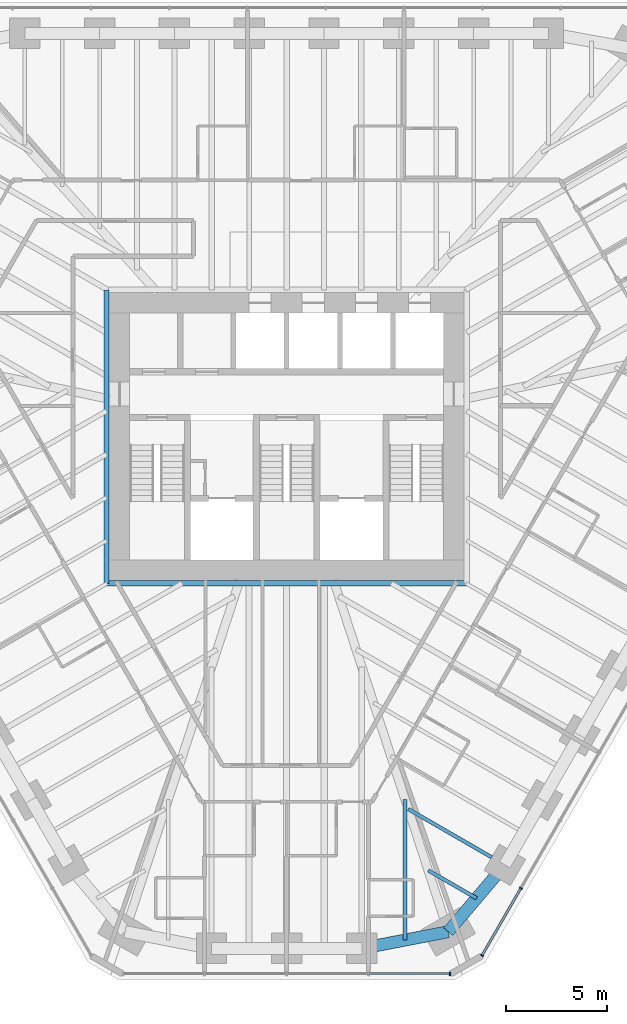
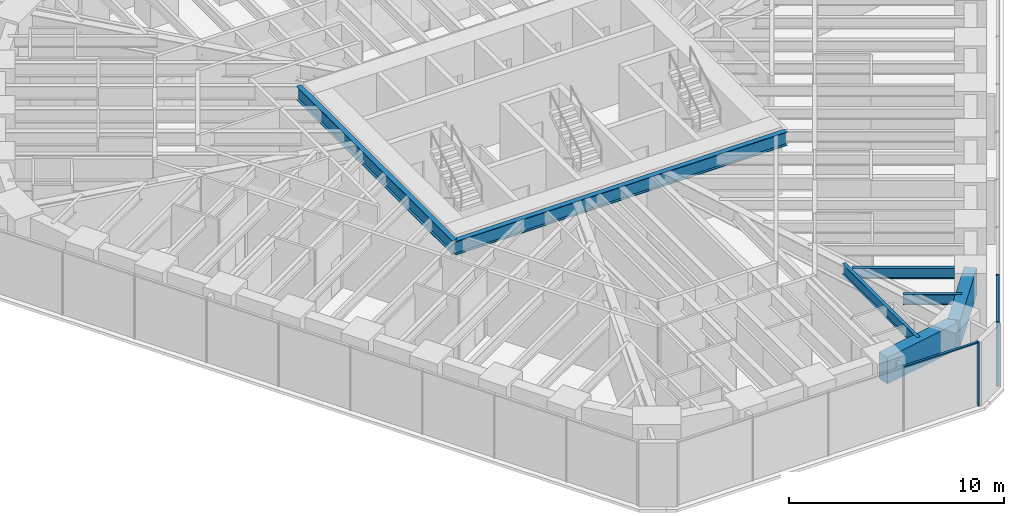
# One storey, part 4 of 17: 7 beams, 5 members, 2 elements without a shape of their own.
"""IFC4 building model written with IfcOpenShell, lengths in metres."""

from ifc_helpers import new_model, si_unit, direction, frame, origin, origin_2d, place, context, subcontext, project, spatial, rectangle, i_section, extrude, material, material_profile, profile_set, type_object, element, aggregate, save


model = new_model("IFC4")

# Units and contexts
model_context = context("Model", 3, precision=1e-05, world=origin(), true_north=direction((0.0, 1.0)))
body_context = subcontext(model_context, "Body", "Model", "MODEL_VIEW")
ifc_project = project(units=[si_unit("LENGTHUNIT", "METRE"), si_unit("AREAUNIT", "SQUARE_METRE"), si_unit("VOLUMEUNIT", "CUBIC_METRE"), si_unit("PLANEANGLEUNIT", "RADIAN"), si_unit("MASSUNIT", "GRAM", prefix="KILO")], contexts=[model_context])

# Site, building, storey
site_placement = place(None, origin())
site = spatial("IfcSite", under=ifc_project, at=site_placement, CompositionType="ELEMENT")
building_placement = place(site_placement, origin())
building = spatial("IfcBuilding", under=site, at=building_placement, Name="Sandreach Pilgrim Tower", CompositionType="ELEMENT")
storey_placement = place(building_placement, frame((0.0, 0.0, 198.39990234375)))
storey = spatial("IfcBuildingStorey", under=building, at=storey_placement, Name="L49", CompositionType="ELEMENT", Elevation=198.39990234375)

# Curtain wall, members
ifc_material_1 = material(Name="Aluminium framed curtain wall", Category="aluminium")
curtain_wall_type = type_object("IfcCurtainWallType", Name="Upper hotel tower curtain wall", PredefinedType="NOTDEFINED", material=ifc_material_1)
curtain_wall_1_placement = place(storey_placement, origin())
curtain_wall_1 = element("IfcCurtainWall", 1, at=curtain_wall_1_placement, inside=storey, type_object=curtain_wall_type, Name="CW-3 L49 SE", PredefinedType="NOTDEFINED")
ifc_material_2 = material(Name="Aluminium extrusion", Category="aluminium")
ifc_material_profile_1 = material_profile(ifc_material_2, rectangle(XDim=0.06494140625, YDim=0.159912109375, at=origin_2d()), Name="CW-3M 65X160")
ifc_profile_set_1 = profile_set([ifc_material_profile_1], Name="Aluminium extrusion")
member_type_1 = type_object("IfcMemberType", Name="CW-3 mullion", PredefinedType="MULLION", material=ifc_profile_set_1)
member_1_placement = place(storey_placement, frame((11.5625, -22.29345703125, 0.0), z_axis=(0.0, 0.0, 1.0), x_axis=(-0.5, -0.866025403784, 0.0)))
member_1 = element("IfcMember", 2, at=member_1_placement, type_object=member_type_1, Name="CW-3 mullion 9", PredefinedType="MULLION", context=body_context, shape_type="SweptSolid", body=[
    extrude(rectangle(XDim=0.06494140625, YDim=0.159912109375, at=origin_2d()), origin(), (0.0, 0.0, 1.0), 3.64013671875),
])
member_2_placement = place(storey_placement, frame((9.646484375, -25.612060546875, 0.0), z_axis=(0.0, 0.0, 1.0), x_axis=(-0.5, -0.866025403784, 0.0)))
member_2 = element("IfcMember", 3, at=member_2_placement, type_object=member_type_1, Name="CW-3 mullion 10", PredefinedType="MULLION", context=body_context, shape_type="SweptSolid", body=[
    extrude(rectangle(XDim=0.06494140625, YDim=0.159912109375, at=origin_2d()), origin(), (0.0, 0.0, 1.0), 3.64013671875),
])

# Curtain wall, member
curtain_wall_2_placement = place(storey_placement, origin())
curtain_wall_2 = element("IfcCurtainWall", 4, at=curtain_wall_2_placement, inside=storey, type_object=curtain_wall_type, Name="CW-3 L49 S", PredefinedType="NOTDEFINED")
member_3_placement = place(storey_placement, frame((8.06494140625, -26.525146484375, 0.0), z_axis=(0.0, 0.0, 1.0), x_axis=(-1.0, 0.0, 0.0)))
member_3 = element("IfcMember", 5, at=member_3_placement, type_object=member_type_1, Name="CW-3 mullion 1", PredefinedType="MULLION", context=body_context, shape_type="SweptSolid", body=[
    extrude(rectangle(XDim=0.06494140625, YDim=0.159912109375, at=origin_2d()), origin(), (0.0, 0.0, 1.0), 3.64013671875),
])

# Member
ifc_material_3 = material(Name="Aluminium extrusion", Category="aluminium")
ifc_material_profile_2 = material_profile(ifc_material_3, rectangle(XDim=0.1201171875, YDim=0.070068359375, at=origin_2d()), Name="CW-3T 120X70")
ifc_profile_set_2 = profile_set([ifc_material_profile_2], Name="Aluminium extrusion")
member_type_2 = type_object("IfcMemberType", Name="CW-3 transom", PredefinedType="USERDEFINED", material=ifc_profile_set_2)
member_4_placement = place(storey_placement, frame((11.546142578125, -22.321533203125, 3.60498046875), z_axis=(-0.499973055223, -0.8660409598, 0.0), x_axis=(0.8660409598, -0.499973055223, 0.0)))
member_4 = element("IfcMember", 6, at=member_4_placement, type_object=member_type_2, Name="CW-3 head transom 9", ObjectType="TRANSOM", PredefinedType="USERDEFINED", context=body_context, shape_type="SweptSolid", body=[
    extrude(rectangle(XDim=0.1201171875, YDim=0.070068359375, at=origin_2d()), origin(), (0.0, 0.0, 1.0), 3.766845703125),
])

aggregate(curtain_wall_1, [member_1, member_2, member_4])

member_5_placement = place(storey_placement, frame((8.032470703125, -26.525146484375, 3.60498046875), z_axis=(-1.0, 0.0, 0.0), x_axis=(0.0, -1.0, 0.0)))
member_5 = element("IfcMember", 7, at=member_5_placement, type_object=member_type_2, Name="CW-3 head transom 1", ObjectType="TRANSOM", PredefinedType="USERDEFINED", context=body_context, shape_type="SweptSolid", body=[
    extrude(rectangle(XDim=0.1201171875, YDim=0.070068359375, at=origin_2d()), origin(), (0.0, 0.0, 1.0), 3.951171875),
])

aggregate(curtain_wall_2, [member_3, member_5])

# Beams
ifc_material_4 = material(Name="Steel ASTM A992 Grade 50", Category="steel")
ifc_material_profile_3 = material_profile(ifc_material_4, i_section(OverallWidth=0.2666015625, OverallDepth=0.77978515625, WebThickness=0.0166015625, FlangeThickness=0.030029296875, at=origin_2d()), Name="W30X148")
ifc_profile_set_3 = profile_set([ifc_material_profile_3], Name="Steel ASTM A992 Grade 50")
beam_type_1 = type_object("IfcBeamType", Name="Core edge beam W30X148", PredefinedType="BEAM", material=ifc_profile_set_3)
beam_1_placement = place(storey_placement, frame((8.893310546875, -7.243408203125, 3.250244140625), z_axis=(-1.0, 0.0, 0.0), x_axis=(0.0, -1.0, 0.0)))
element("IfcBeam", 8, at=beam_1_placement, inside=storey, type_object=beam_type_1, Name="BM L49 CES", PredefinedType="BEAM", context=body_context, shape_type="SweptSolid", body=[
    extrude(i_section(OverallWidth=0.2666015625, OverallDepth=0.77978515625, WebThickness=0.0166015625, FlangeThickness=0.030029296875, at=origin_2d()), origin(), (0.0, 0.0, 1.0), 17.78662109375),
])
beam_2_placement = place(storey_placement, frame((-8.893310546875, -7.243408203125, 3.250244140625), z_axis=(0.0, 1.0, 0.0), x_axis=(-1.0, 0.0, 0.0)))
element("IfcBeam", 9, at=beam_2_placement, inside=storey, type_object=beam_type_1, Name="BM L49 CEW", PredefinedType="BEAM", context=body_context, shape_type="SweptSolid", body=[
    extrude(i_section(OverallWidth=0.2666015625, OverallDepth=0.77978515625, WebThickness=0.0166015625, FlangeThickness=0.030029296875, at=origin_2d()), origin(), (0.0, 0.0, 1.0), 14.48681640625),
])
ifc_material_5 = material(Name="Steel ASTM A992 Grade 50", Category="steel")
ifc_material_profile_4 = material_profile(ifc_material_5, i_section(OverallWidth=0.1787109375, OverallDepth=0.60205078125, WebThickness=0.010986328125, FlangeThickness=0.014892578125, at=origin_2d()), Name="W24X62")
ifc_profile_set_4 = profile_set([ifc_material_profile_4], Name="Steel ASTM A992 Grade 50")
beam_type_2 = type_object("IfcBeamType", Name="Floor beam W24X62", PredefinedType="BEAM", material=ifc_profile_set_4)
beam_3_placement = place(storey_placement, frame((10.12255859375, -20.767333984375, 3.339111328125), z_axis=(-0.86603347311, 0.499986023258, 0.0), x_axis=(-0.499986023258, -0.86603347311, 0.0)))
element("IfcBeam", 10, at=beam_3_placement, inside=storey, type_object=beam_type_2, Name="BM L49 F21", PredefinedType="BEAM", context=body_context, shape_type="SweptSolid", body=[
    extrude(i_section(OverallWidth=0.1787109375, OverallDepth=0.60205078125, WebThickness=0.010986328125, FlangeThickness=0.014892578125, at=origin_2d()), origin(), (0.0, 0.0, 1.0), 4.757568359375),
])
beam_4_placement = place(storey_placement, frame((9.375244140625, -22.7919921875, 3.339111328125), z_axis=(-0.866046803606, 0.49996293259, 0.0), x_axis=(-0.49996293259, -0.866046803606, 0.0)))
element("IfcBeam", 11, at=beam_4_placement, inside=storey, type_object=beam_type_2, Name="BM L49 FM21", PredefinedType="BEAM", context=body_context, shape_type="SweptSolid", body=[
    extrude(i_section(OverallWidth=0.1787109375, OverallDepth=0.60205078125, WebThickness=0.010986328125, FlangeThickness=0.014892578125, at=origin_2d()), origin(), (0.0, 0.0, 1.0), 2.753662109375),
])
beam_5_placement = place(storey_placement, frame((5.844482421875, -24.853515625, 3.339111328125), z_axis=(0.0, 1.0, 0.0), x_axis=(-1.0, 0.0, 0.0)))
element("IfcBeam", 12, at=beam_5_placement, inside=storey, type_object=beam_type_2, Name="BM L49 FM22", PredefinedType="BEAM", context=body_context, shape_type="SweptSolid", body=[
    extrude(i_section(OverallWidth=0.1787109375, OverallDepth=0.60205078125, WebThickness=0.010986328125, FlangeThickness=0.014892578125, at=origin_2d()), origin(), (0.0, 0.0, 1.0), 6.94921875),
])
ifc_material_6 = material(Name="Concrete 10000 psi", Category="concrete")
ifc_material_profile_5 = material_profile(ifc_material_6, rectangle(XDim=0.60009765625, YDim=1.5, at=origin_2d()), Name="RC600X1500")
ifc_profile_set_5 = profile_set([ifc_material_profile_5], Name="Concrete 10000 psi")
beam_type_3 = type_object("IfcBeamType", Name="Spandrel beam RC600X1500", PredefinedType="SPANDREL", material=ifc_profile_set_5)
beam_6_placement = place(storey_placement, frame((10.772216796875, -21.142333984375, 2.89013671875), z_axis=(-0.646180160755, -0.76318490541, 0.0), x_axis=(0.76318490541, -0.646180160755, 0.0)))
element("IfcBeam", 13, at=beam_6_placement, inside=storey, type_object=beam_type_3, Name="BM L49 SP21", PredefinedType="SPANDREL", context=body_context, shape_type="SweptSolid", body=[
    extrude(rectangle(XDim=0.60009765625, YDim=1.5, at=origin_2d()), origin(), (0.0, 0.0, 1.0), 4.323486328125),
])
beam_7_placement = place(storey_placement, frame((7.978515625, -24.44189453125, 2.89013671875), z_axis=(-0.981901333807, -0.18939316426, 0.0), x_axis=(0.18939316426, -0.981901333807, 0.0)))
element("IfcBeam", 14, at=beam_7_placement, inside=storey, type_object=beam_type_3, Name="BM L49 SP22", PredefinedType="SPANDREL", context=body_context, shape_type="SweptSolid", body=[
    extrude(rectangle(XDim=0.60009765625, YDim=1.5, at=origin_2d()), origin(), (0.0, 0.0, 1.0), 4.3466796875),
])

save(model, "model.ifc")
